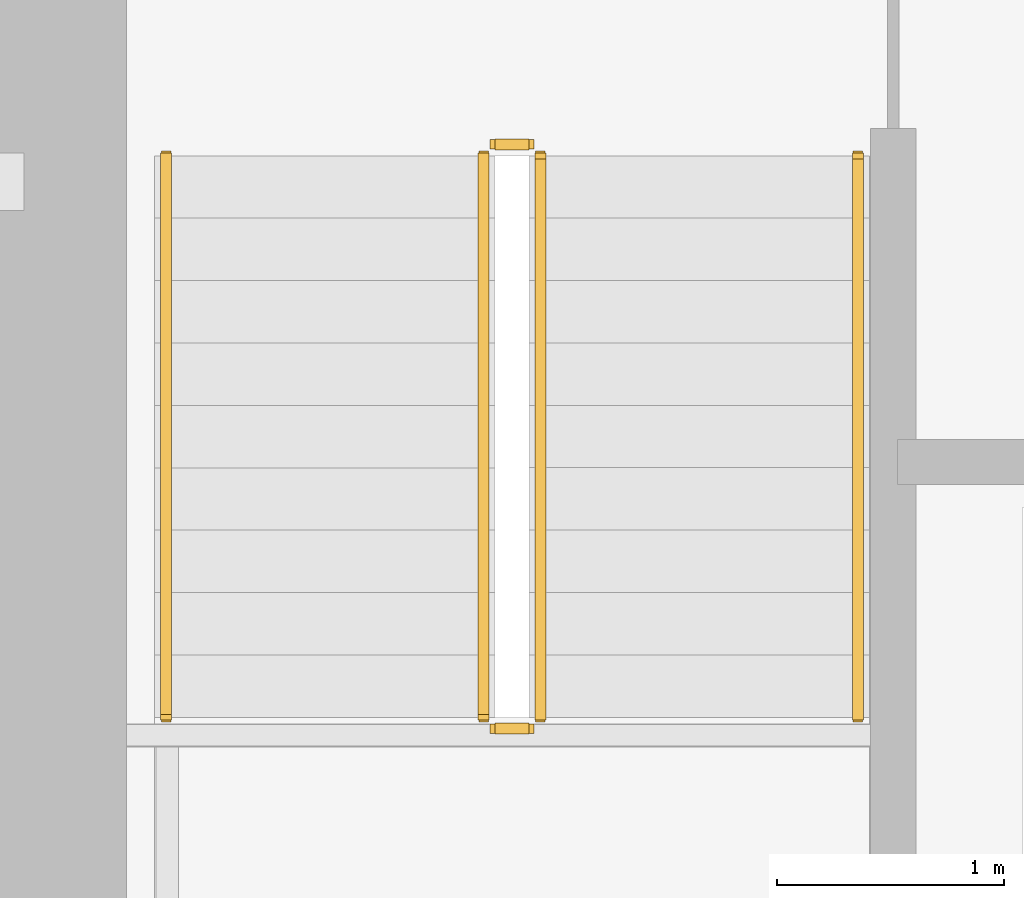
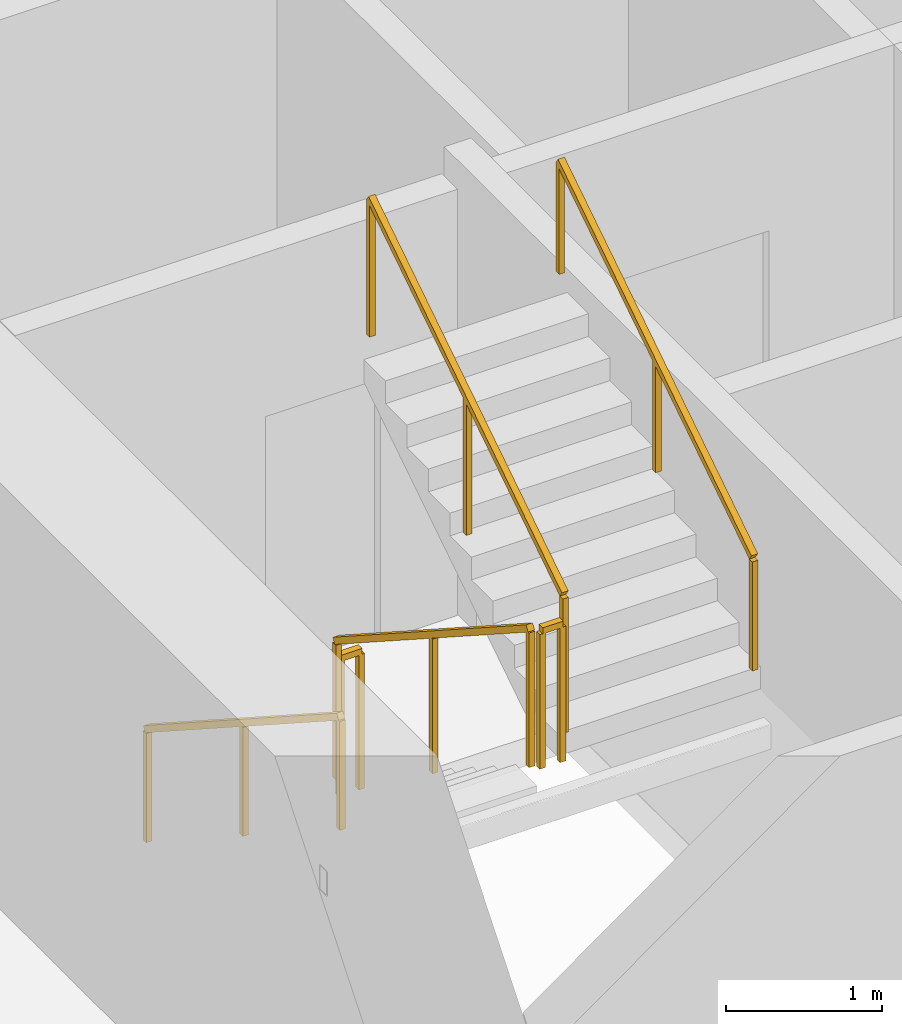
# One storey, part 11 of 13: 6 railings.
"""IFC4 building model written with IfcOpenShell, lengths in metres."""

from ifc_helpers import new_model, si_unit, direction, frame, origin, origin_2d, place, context, subcontext, project, spatial, rectangle, extrude, material, type_object, element, save


model = new_model("IFC4")

# Units and contexts
model_context = context("Model", 3, precision=1e-05, world=origin(), true_north=direction((0.0, 1.0)))
body_context = subcontext(model_context, "Body", "Model", "MODEL_VIEW")
ifc_project = project(units=[si_unit("LENGTHUNIT", "METRE"), si_unit("AREAUNIT", "SQUARE_METRE"), si_unit("VOLUMEUNIT", "CUBIC_METRE"), si_unit("PLANEANGLEUNIT", "RADIAN"), si_unit("MASSUNIT", "GRAM", prefix="KILO")], contexts=[model_context])

# Site, building, storey
site_placement = place(None, origin())
site = spatial("IfcSite", under=ifc_project, at=site_placement, CompositionType="ELEMENT")
building_placement = place(site_placement, origin())
building = spatial("IfcBuilding", under=site, at=building_placement, Name="Cinnabar Lancet Tower", CompositionType="ELEMENT")
storey_placement = place(building_placement, frame((0.0, 0.0, 49.75)))
storey = spatial("IfcBuildingStorey", under=building, at=storey_placement, Name="L12", CompositionType="ELEMENT", Elevation=49.75)

# Railings
ifc_material_1 = material(Name="Painted galvanized steel balustrade", Category="steel")
railing_type_1 = type_object("IfcRailingType", Name="GUARD-STAIR", PredefinedType="GUARDRAIL", material=ifc_material_1)
railing_1_placement = place(storey_placement, frame((24.97509765625, 28.39990234375, 0.177490234375)))
element("IfcRailing", 1, at=railing_1_placement, inside=storey, type_object=railing_type_1, Name="L12 ST-1 stair guard 1", PredefinedType="GUARDRAIL", context=body_context, shape_type="SweptSolid", body=[
    extrude(rectangle(XDim=0.048095703125, YDim=0.048095703125, at=origin_2d()), frame((0.0, 0.0, 1.076171875), z_axis=(0.0, -0.840183358697, 0.542302428327), x_axis=(1.0, 0.0, 0.0)), (0.0, 0.0, 1.0), 2.945556640625),
    extrude(rectangle(XDim=0.0419921875, YDim=0.0419921875, at=origin_2d()), origin(), (0.0, 0.0, 1.0), 1.052001953125),
    extrude(rectangle(XDim=0.0419921875, YDim=0.0419921875, at=origin_2d()), frame((0.0, -1.2373046875, 0.798828125)), (0.0, 0.0, 1.0), 1.052001953125),
    extrude(rectangle(XDim=0.0419921875, YDim=0.0419921875, at=origin_2d()), frame((0.0, -2.474853515625, 1.597412109375)), (0.0, 0.0, 1.0), 1.052001953125),
])
railing_2_placement = place(storey_placement, frame((25.02490234375, 25.875, 1.77490234375)))
element("IfcRailing", 2, at=railing_2_placement, inside=storey, type_object=railing_type_1, Name="L12 ST-1 stair guard 2", PredefinedType="GUARDRAIL", context=body_context, shape_type="SweptSolid", body=[
    extrude(rectangle(XDim=0.048095703125, YDim=0.048095703125, at=origin_2d()), frame((0.0, 0.0, 1.076171875), z_axis=(1.0, 0.0, 0.0), x_axis=(0.0, 1.0, 0.0)), (0.0, 0.0, 1.0), 0.150146484375),
    extrude(rectangle(XDim=0.0419921875, YDim=0.0419921875, at=origin_2d()), origin(), (0.0, 0.0, 1.0), 1.052001953125),
    extrude(rectangle(XDim=0.0419921875, YDim=0.0419921875, at=origin_2d()), frame((0.150146484375, 0.0, 0.0)), (0.0, 0.0, 1.0), 1.052001953125),
])
railing_3_placement = place(storey_placement, frame((25.22509765625, 25.925048828125, 1.952392578125)))
element("IfcRailing", 3, at=railing_3_placement, inside=storey, type_object=railing_type_1, Name="L12 ST-1 stair guard 3", PredefinedType="GUARDRAIL", context=body_context, shape_type="SweptSolid", body=[
    extrude(rectangle(XDim=0.048095703125, YDim=0.048095703125, at=origin_2d()), frame((0.0, 0.0, 1.076171875), z_axis=(0.0, 0.84014559416, 0.542360932049), x_axis=(-1.0, 0.0, 0.0)), (0.0, 0.0, 1.0), 2.94580078125),
    extrude(rectangle(XDim=0.0419921875, YDim=0.0419921875, at=origin_2d()), origin(), (0.0, 0.0, 1.0), 1.052001953125),
    extrude(rectangle(XDim=0.0419921875, YDim=0.0419921875, at=origin_2d()), frame((0.0, 1.2373046875, 0.798828125)), (0.0, 0.0, 1.0), 1.052001953125),
    extrude(rectangle(XDim=0.0419921875, YDim=0.0419921875, at=origin_2d()), frame((0.0, 2.474853515625, 1.59765625)), (0.0, 0.0, 1.0), 1.052001953125),
])
railing_4_placement = place(storey_placement, frame((25.02490234375, 28.449951171875, 0.0)))
element("IfcRailing", 4, at=railing_4_placement, inside=storey, type_object=railing_type_1, Name="L12 ST-1 stair guard 4", PredefinedType="GUARDRAIL", context=body_context, shape_type="SweptSolid", body=[
    extrude(rectangle(XDim=0.048095703125, YDim=0.048095703125, at=origin_2d()), frame((0.0, 0.0, 1.076171875), z_axis=(1.0, 0.0, 0.0), x_axis=(0.0, 1.0, 0.0)), (0.0, 0.0, 1.0), 0.150146484375),
    extrude(rectangle(XDim=0.0419921875, YDim=0.0419921875, at=origin_2d()), origin(), (0.0, 0.0, 1.0), 1.052001953125),
    extrude(rectangle(XDim=0.0419921875, YDim=0.0419921875, at=origin_2d()), frame((0.150146484375, 0.0, 0.0)), (0.0, 0.0, 1.0), 1.052001953125),
])
ifc_material_2 = material(Name="Brushed stainless steel handrail", Category="steel")
railing_type_2 = type_object("IfcRailingType", Name="HANDRAIL-STAIR", PredefinedType="HANDRAIL", material=ifc_material_2)
railing_5_placement = place(storey_placement, frame((23.574951171875, 28.39990234375, 0.177490234375)))
element("IfcRailing", 5, at=railing_5_placement, inside=storey, type_object=railing_type_2, Name="L12 ST-1 stair handrail 1", PredefinedType="HANDRAIL", context=body_context, shape_type="SweptSolid", body=[
    extrude(rectangle(XDim=0.048095703125, YDim=0.048095703125, at=origin_2d()), frame((0.0, 0.0, 0.8759765625), z_axis=(0.0, -0.840183358697, 0.542302428327), x_axis=(1.0, 0.0, 0.0)), (0.0, 0.0, 1.0), 2.945556640625),
    extrude(rectangle(XDim=0.0419921875, YDim=0.0419921875, at=origin_2d()), origin(), (0.0, 0.0, 1.0), 0.851806640625),
    extrude(rectangle(XDim=0.0419921875, YDim=0.0419921875, at=origin_2d()), frame((0.0, -1.2373046875, 0.798828125)), (0.0, 0.0, 1.0), 0.851806640625),
    extrude(rectangle(XDim=0.0419921875, YDim=0.0419921875, at=origin_2d()), frame((0.0, -2.474853515625, 1.597412109375)), (0.0, 0.0, 1.0), 0.851806640625),
])
railing_6_placement = place(storey_placement, frame((26.625, 25.925048828125, 1.952392578125)))
element("IfcRailing", 6, at=railing_6_placement, inside=storey, type_object=railing_type_2, Name="L12 ST-1 stair handrail 2", PredefinedType="HANDRAIL", context=body_context, shape_type="SweptSolid", body=[
    extrude(rectangle(XDim=0.048095703125, YDim=0.048095703125, at=origin_2d()), frame((0.0, 0.0, 0.8759765625), z_axis=(0.0, 0.84014559416, 0.542360932049), x_axis=(-1.0, 0.0, 0.0)), (0.0, 0.0, 1.0), 2.94580078125),
    extrude(rectangle(XDim=0.0419921875, YDim=0.0419921875, at=origin_2d()), origin(), (0.0, 0.0, 1.0), 0.851806640625),
    extrude(rectangle(XDim=0.0419921875, YDim=0.0419921875, at=origin_2d()), frame((0.0, 1.2373046875, 0.798828125)), (0.0, 0.0, 1.0), 0.851806640625),
    extrude(rectangle(XDim=0.0419921875, YDim=0.0419921875, at=origin_2d()), frame((0.0, 2.474853515625, 1.59765625)), (0.0, 0.0, 1.0), 0.851806640625),
])

save(model, "model.ifc")
